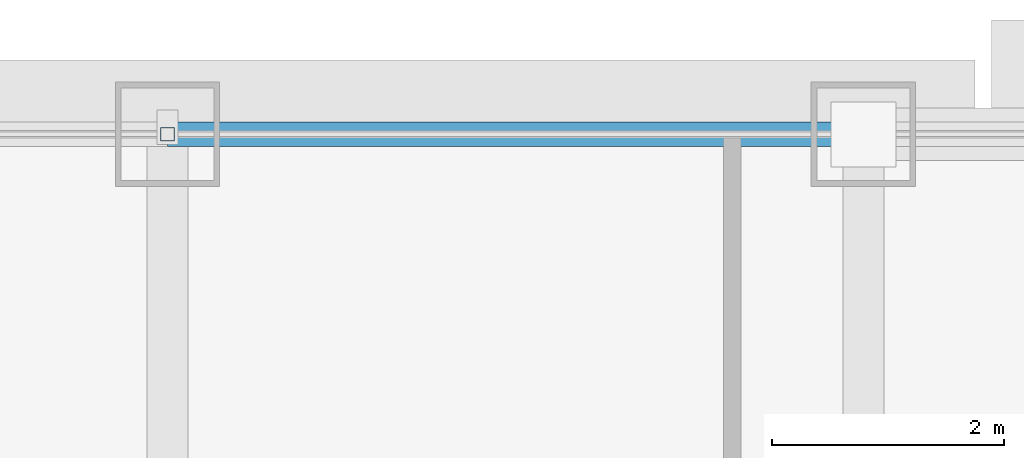
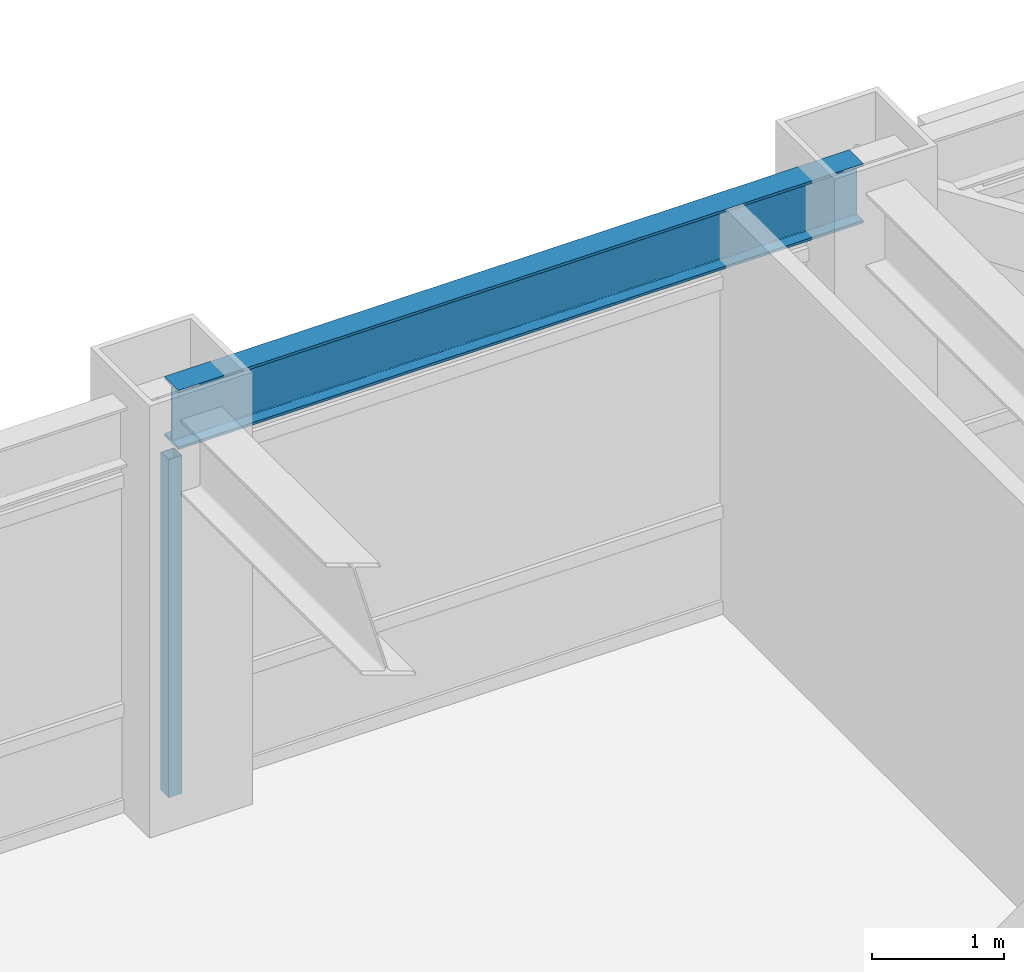
# One storey, part 14 of 27: 1 beam, 1 member, 1 element without a shape of its own.
"""IFC4 building model written with IfcOpenShell, lengths in metres."""

from ifc_helpers import new_model, si_unit, direction, frame, origin, origin_2d, place, context, subcontext, project, spatial, hollow_rectangle, i_section, extrude, source, transform, mapped, material, material_profile, profile_set, type_object, element, aggregate, save


model = new_model("IFC4")

# Units and contexts
model_context = context("Model", 3, precision=1e-05, world=origin(), true_north=direction((0.0, 1.0)))
body_context = subcontext(model_context, "Body", "Model", "MODEL_VIEW")
ifc_project = project(units=[si_unit("LENGTHUNIT", "METRE"), si_unit("AREAUNIT", "SQUARE_METRE"), si_unit("VOLUMEUNIT", "CUBIC_METRE"), si_unit("PLANEANGLEUNIT", "RADIAN"), si_unit("MASSUNIT", "GRAM", prefix="KILO")], contexts=[model_context])

# Site, building, storey
site_placement = place(None, origin())
site = spatial("IfcSite", under=ifc_project, at=site_placement, CompositionType="ELEMENT")
building_placement = place(site_placement, origin())
building = spatial("IfcBuilding", under=site, at=building_placement, Name="Khorayat Bourse Tower", CompositionType="ELEMENT")
storey_placement = place(building_placement, frame((0.0, 0.0, 281.5)))
storey = spatial("IfcBuildingStorey", under=building, at=storey_placement, Name="L66", CompositionType="ELEMENT", Elevation=281.5)

# Beam
ifc_material_1 = material(Name="Steel ASTM A992 Grade 50", Category="steel")
ifc_material_profile_1 = material_profile(ifc_material_1, i_section(OverallWidth=0.214111328125, OverallDepth=0.549072265625, WebThickness=0.0146484375, FlangeThickness=0.023681640625, FilletRadius=0.013916015625, at=origin_2d()), Name="W530X138")
ifc_profile_set_1 = profile_set([ifc_material_profile_1], Name="Steel ASTM A992 Grade 50")
beam_type = type_object("IfcBeamType", Name="BM-SPAN-530", PredefinedType="SPANDREL", material=ifc_profile_set_1)
shared_shape_1 = source(origin(), body_context, "Body", "SweptSolid", [
    extrude(i_section(OverallWidth=0.214111328125, OverallDepth=0.549072265625, WebThickness=0.0146484375, FlangeThickness=0.023681640625, FilletRadius=0.013916015625, at=origin_2d()), origin(), (0.0, 0.0, 1.0), 6.0),
])
beam_placement = place(storey_placement, frame((0.0, 28.0, 3.505615234375), z_axis=(1.0, 0.0, 0.0), x_axis=(0.0, 1.0, 0.0)))
element("IfcBeam", 1, at=beam_placement, inside=storey, type_object=beam_type, Name="L66 BM-SPAN-530 BM-L66-SPN-047", PredefinedType="SPANDREL", context=body_context, shape_type="MappedRepresentation", body=[
    mapped(shared_shape_1, transform((0.0, 0.0, 0.0), scale=1.0)),
])

# Curtain wall, member
ifc_material_2 = material(Name="Aluminium EN AW-6063 T6", Category="aluminium")
curtain_wall_type = type_object("IfcCurtainWallType", Name="CW-SYS-04", PredefinedType="NOTDEFINED", material=ifc_material_2)
curtain_wall_placement = place(storey_placement, origin())
curtain_wall = element("IfcCurtainWall", 2, at=curtain_wall_placement, inside=storey, type_object=curtain_wall_type, Name="L66 Curtain Wall CW-L66-N1", PredefinedType="NOTDEFINED")
ifc_material_profile_2 = material_profile(ifc_material_2, hollow_rectangle(XDim=0.1201171875, YDim=0.1201171875, WallThickness=0.0048828125, at=origin_2d()), Name="ALU 120x120x5")
ifc_profile_set_2 = profile_set([ifc_material_profile_2], Name="Aluminium EN AW-6063 T6")
member_type = type_object("IfcMemberType", Name="CWM-VERT-120", PredefinedType="MULLION", material=ifc_profile_set_2)
shared_shape_2 = source(origin(), body_context, "Body", "SweptSolid", [
    extrude(hollow_rectangle(XDim=0.1201171875, YDim=0.1201171875, WallThickness=0.0048828125, at=origin_2d()), origin(), (0.0, 0.0, 1.0), 3.1298828125),
])
member_placement = place(storey_placement, frame((0.0, 28.0, 0.0), z_axis=(0.0, 0.0, 1.0), x_axis=(0.0, 1.0, 0.0)))
member = element("IfcMember", 3, at=member_placement, type_object=member_type, Name="CW-L66-N1 Vertical Mullion 2", PredefinedType="MULLION", context=body_context, shape_type="MappedRepresentation", body=[
    mapped(shared_shape_2, transform((0.0, 0.0, 0.0), scale=1.0)),
])
aggregate(curtain_wall, [member])

save(model, "model.ifc")
